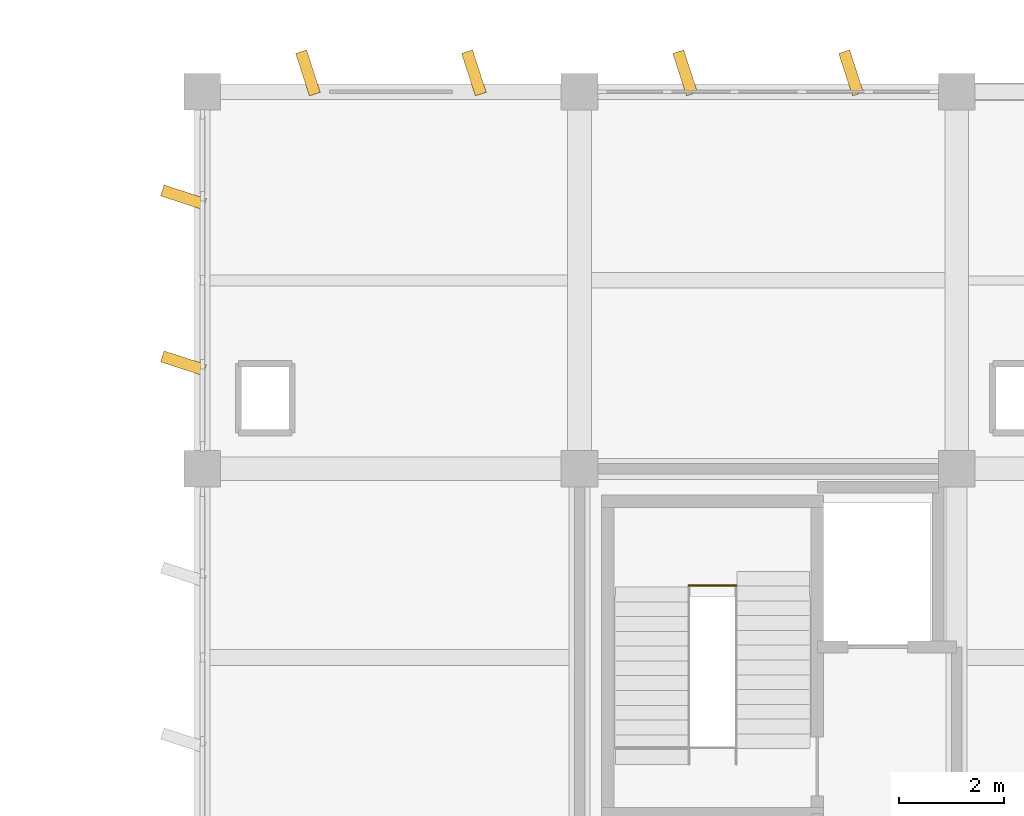
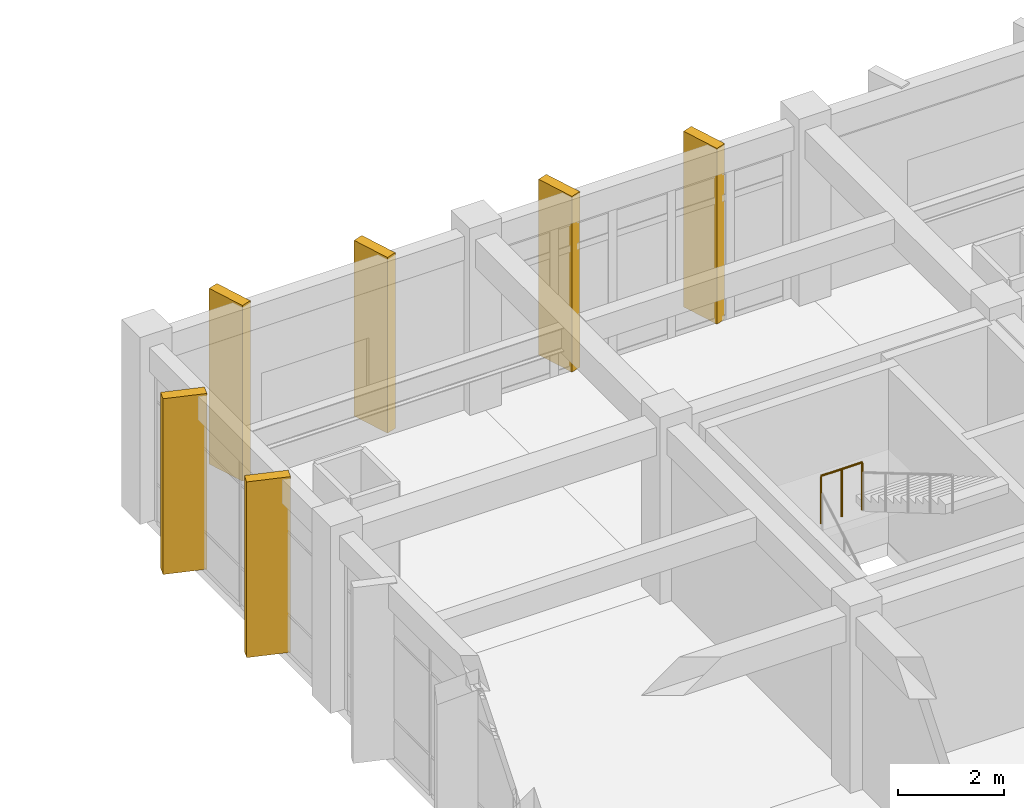
# One storey, part 68 of 70: 6 coverings, 1 railing.
"""IFC4 building model written with IfcOpenShell, lengths in metres."""

from ifc_helpers import new_model, si_unit, direction, frame, origin, origin_2d, place, context, subcontext, project, spatial, rectangle, circle, extrude, material, layer, layer_set, type_object, element, save


model = new_model("IFC4")

# Units and contexts
model_context = context("Model", 3, precision=1e-05, world=origin(), true_north=direction((0.0, 1.0)))
body_context = subcontext(model_context, "Body", "Model", "MODEL_VIEW")
ifc_project = project(units=[si_unit("LENGTHUNIT", "METRE"), si_unit("AREAUNIT", "SQUARE_METRE"), si_unit("VOLUMEUNIT", "CUBIC_METRE"), si_unit("PLANEANGLEUNIT", "RADIAN"), si_unit("MASSUNIT", "GRAM", prefix="KILO")], contexts=[model_context])

# Site, building, storey
site_placement = place(None, origin())
site = spatial("IfcSite", under=ifc_project, at=site_placement, CompositionType="ELEMENT")
building_placement = place(site_placement, origin())
building = spatial("IfcBuilding", under=site, at=building_placement, Name="Kavelor Marine Aquarium", CompositionType="ELEMENT")
storey_placement = place(building_placement, frame((0.0, 0.0, 9.179931640625)))
storey = spatial("IfcBuildingStorey", under=building, at=storey_placement, Name="L02", CompositionType="ELEMENT", Elevation=9.179931640625)

# Coverings
ifc_material_1 = material(Name="Precast Concrete C45/55 Coastal Brise-Soleil Fin", Category="concrete")
ifc_layer = layer(ifc_material_1, 0.219970703125)
ifc_layer_set = layer_set([ifc_layer], Name="COV-CL1")
covering_type = type_object("IfcCoveringType", Name="COV-CL1", PredefinedType="CLADDING", material=ifc_layer_set)
for number, where, z_axis, x_axis, name in (
    (1, (118.0400390625, 105.615966796875, 0.0), (0.0, 0.0, 1.0), (0.951056516295, -0.309016994375, 0.0), "fin:y:L02:16_14:0"),
    (2, (118.0400390625, 108.783935546875, 0.0), (0.0, 0.0, 1.0), (0.951056516295, -0.309016994375, 0.0), "fin:y:L02:16_14:1"),
):
    element("IfcCovering", number, at=place(storey_placement, frame(where, z_axis=z_axis, x_axis=x_axis)), inside=storey, type_object=covering_type, Name=name, PredefinedType="CLADDING", context=body_context, shape_type="SweptSolid", body=[
        extrude(rectangle(XDim=0.85009765625, YDim=0.219970703125, at=origin_2d()), origin(), (0.0, 0.0, 1.0), 4.06005859375),
    ])
for number, where, z_axis, x_axis, name in (
    (3, (120.416015625, 111.159912109375, 0.0), (0.0, 0.0, 1.0), (0.951056516295, 0.309016994375, 0.0), "fin:x:L02:16_15:0"),
    (4, (123.583984375, 111.159912109375, 0.0), (0.0, 0.0, 1.0), (0.951056516295, 0.309016994375, 0.0), "fin:x:L02:16_15:1"),
    (5, (127.615966796875, 111.159912109375, 0.0), (0.0, 0.0, 1.0), (0.951056516295, 0.309016994375, 0.0), "fin:x:L02:17_15:0"),
    (6, (130.783935546875, 111.159912109375, 0.0), (0.0, 0.0, 1.0), (0.951056516295, 0.309016994375, 0.0), "fin:x:L02:17_15:1"),
):
    element("IfcCovering", number, at=place(storey_placement, frame(where, z_axis=z_axis, x_axis=x_axis)), inside=storey, type_object=covering_type, Name=name, PredefinedType="CLADDING", context=body_context, shape_type="SweptSolid", body=[
        extrude(rectangle(XDim=0.219970703125, YDim=0.85009765625, at=origin_2d()), origin(), (0.0, 0.0, 1.0), 4.06005859375),
    ])

# Railing
ifc_material_2 = material(Name="Brushed Stainless Steel Stair Guardrail", Category="steel")
railing_type = type_object("IfcRailingType", Name="RL-SG1", PredefinedType="GUARDRAIL", material=ifc_material_2)
railing_placement = place(storey_placement, frame((127.68994140625, 101.3740234375, 2.16015625)))
element("IfcRailing", 7, at=railing_placement, inside=storey, type_object=railing_type, Name="Landing Guardrail ST10-M", PredefinedType="GUARDRAIL", context=body_context, shape_type="SweptSolid", body=[
    extrude(circle(Radius=0.0224609375, at=origin_2d()), frame((0.0, 0.0, 1.09765625), z_axis=(1.0, 0.0, 0.0), x_axis=(0.0, 1.0, 0.0)), (0.0, 0.0, 1.0), 0.900146484375),
    extrude(circle(Radius=0.02099609375, at=origin_2d()), origin(), (0.0, 0.0, 1.0), 1.0751953125),
    extrude(circle(Radius=0.02099609375, at=origin_2d()), frame((0.4501953125, 0.0, 0.0)), (0.0, 0.0, 1.0), 1.0751953125),
    extrude(circle(Radius=0.02099609375, at=origin_2d()), frame((0.900146484375, 0.0, 0.0)), (0.0, 0.0, 1.0), 1.0751953125),
])

save(model, "model.ifc")
